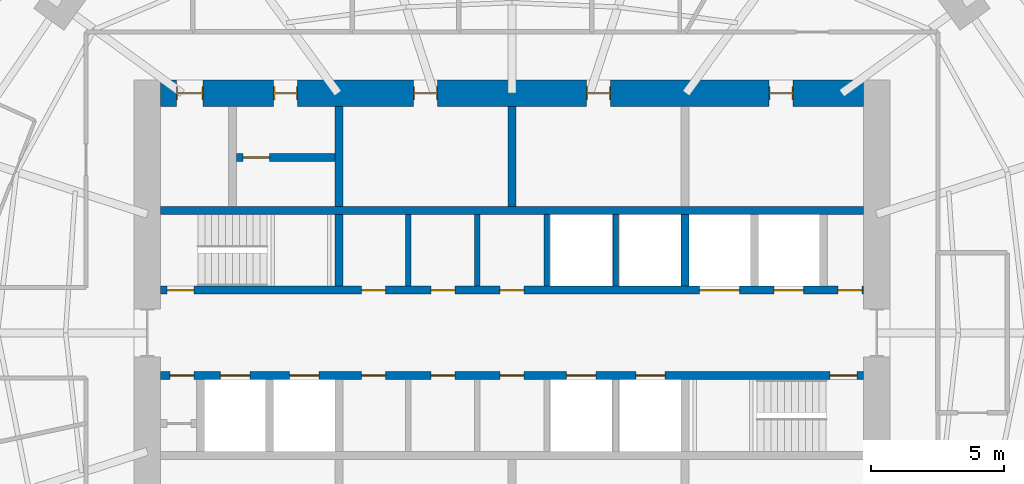
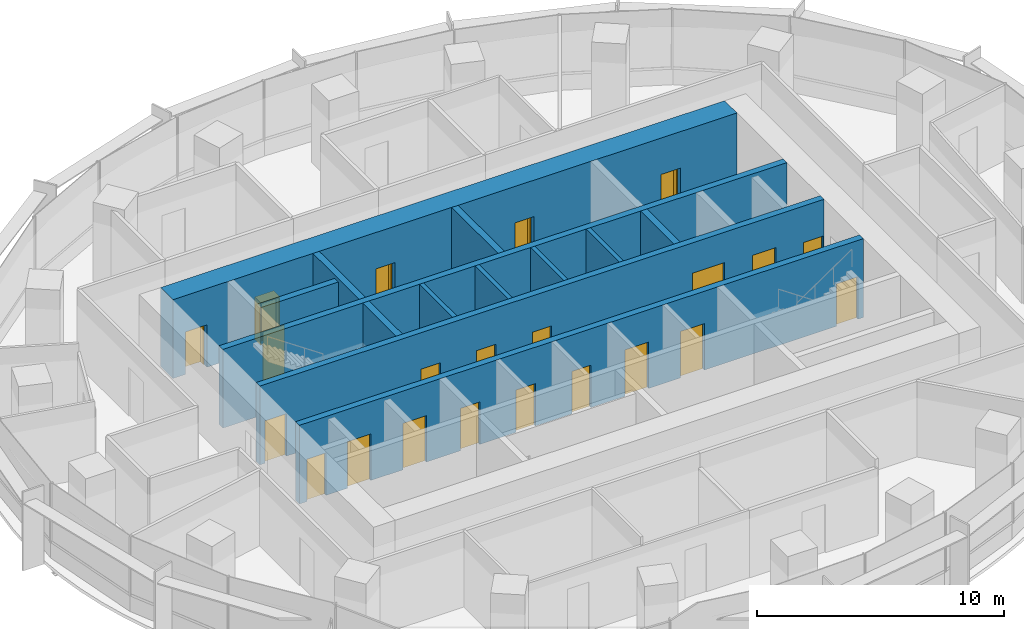
# One storey, part 11 of 14: 22 doors, 13 walls, 22 openings.
"""IFC4 building model written with IfcOpenShell, lengths in metres."""

from ifc_helpers import new_model, si_unit, direction, frame, frame_2d, origin, place, context, subcontext, project, spatial, rectangle, extrude, material, layer, layer_set, type_object, element, fill, save


model = new_model("IFC4")

# Units and contexts
model_context = context("Model", 3, precision=1e-05, world=origin(), true_north=direction((0.0, 1.0)))
body_context = subcontext(model_context, "Body", "Model", "MODEL_VIEW")
ifc_project = project(units=[si_unit("LENGTHUNIT", "METRE"), si_unit("AREAUNIT", "SQUARE_METRE"), si_unit("VOLUMEUNIT", "CUBIC_METRE"), si_unit("PLANEANGLEUNIT", "RADIAN"), si_unit("MASSUNIT", "GRAM", prefix="KILO")], contexts=[model_context])

# Site, building, storey
site_placement = place(None, origin())
site = spatial("IfcSite", under=ifc_project, at=site_placement, CompositionType="ELEMENT")
building_placement = place(site_placement, origin())
building = spatial("IfcBuilding", under=site, at=building_placement, Name="Marramba Exchange Tower", CompositionType="ELEMENT")
storey_placement = place(building_placement, frame((0.0, 0.0, 199.39990234375)))
storey = spatial("IfcBuildingStorey", under=building, at=storey_placement, Name="L48", CompositionType="ELEMENT", Elevation=199.39990234375)

# Walls
ifc_material_1 = material(Name="Concrete N50", Category="concrete")
ifc_layer_1 = layer(ifc_material_1, 0.199951171875)
ifc_layer_set_1 = layer_set([ifc_layer_1], Name="Core shaft wall 200")
wall_type_1 = type_object("IfcWallType", Name="Core shaft wall 200", PredefinedType="SHEAR", material=ifc_layer_set_1)
for number, where, z_axis, x_axis, name in (
    (1, (-3.89990234375, 1.75, 0.0), (0.0, 0.0, 1.0), (0.0, 1.0, 0.0), "Core wall SHN1 L48"),
    (2, (-1.300048828125, 1.75, 0.0), (0.0, 0.0, 1.0), (0.0, 1.0, 0.0), "Core wall SHN2 L48"),
    (3, (1.300048828125, 1.75, 0.0), (0.0, 0.0, 1.0), (0.0, 1.0, 0.0), "Core wall SHN3 L48"),
    (4, (3.89990234375, 1.75, 0.0), (0.0, 0.0, 1.0), (0.0, 1.0, 0.0), "Core wall SHN4 L48"),
):
    element("IfcWall", number, at=place(storey_placement, frame(where, z_axis=z_axis, x_axis=x_axis)), inside=storey, type_object=wall_type_1, Name=name, PredefinedType="SHEAR", context=body_context, shape_type="SweptSolid", body=[
        extrude(rectangle(XDim=2.699951171875, YDim=0.199951171875, at=frame_2d((1.35009765625, 0.0))), origin(), (0.0, 0.0, 1.0), 3.900146484375),
    ])

# Wall, openings, doors
ifc_layer_2 = layer(ifc_material_1, 1.0)
ifc_layer_set_2 = layer_set([ifc_layer_2], Name="Core wall 1000")
wall_type_2 = type_object("IfcWallType", Name="Core wall 1000", PredefinedType="SHEAR", material=ifc_layer_set_2)
wall_1_placement = place(storey_placement, frame((13.199951171875, 9.0, 0.0), z_axis=(0.0, 0.0, 1.0), x_axis=(-1.0, 0.0, 0.0)))
wall_1 = element("IfcWall", 5, at=wall_1_placement, inside=storey, type_object=wall_type_2, Name="Core wall N L48", PredefinedType="SHEAR", context=body_context, shape_type="SweptSolid", body=[
    extrude(rectangle(XDim=26.39990234375, YDim=1.0, at=frame_2d((13.199951171875, 0.0))), origin(), (0.0, 0.0, 1.0), 3.900146484375),
])
opening_1_placement = place(wall_1_placement, frame((2.64990234375, 0.0, 0.0)))
opening_1 = element("IfcOpeningElement", 6, at=opening_1_placement, cuts=wall_1, Name="Opening D5", PredefinedType="OPENING", context=body_context, shape_type="SweptSolid", body=[
    extrude(rectangle(XDim=0.89990234375, YDim=2.10009765625, at=frame_2d((0.449951171875, 1.050048828125))), frame((0.0, 0.510009765625, 0.0), z_axis=(0.0, -1.0, 0.0), x_axis=(1.0, 0.0, 0.0)), (0.0, 0.0, 1.0), 1.02001953125),
])
opening_2_placement = place(wall_1_placement, frame((9.5, 0.0, 0.0)))
opening_2 = element("IfcOpeningElement", 7, at=opening_2_placement, cuts=wall_1, Name="Opening D3", PredefinedType="OPENING", context=body_context, shape_type="SweptSolid", body=[
    extrude(rectangle(XDim=0.89990234375, YDim=2.10009765625, at=frame_2d((0.449951171875, 1.050048828125))), frame((0.0, 0.510009765625, 0.0), z_axis=(0.0, -1.0, 0.0), x_axis=(1.0, 0.0, 0.0)), (0.0, 0.0, 1.0), 1.02001953125),
])
opening_3_placement = place(wall_1_placement, frame((16.0, 0.0, 0.0)))
opening_3 = element("IfcOpeningElement", 8, at=opening_3_placement, cuts=wall_1, Name="Opening D3", PredefinedType="OPENING", context=body_context, shape_type="SweptSolid", body=[
    extrude(rectangle(XDim=0.89990234375, YDim=2.10009765625, at=frame_2d((0.449951171875, 1.050048828125))), frame((0.0, 0.510009765625, 0.0), z_axis=(0.0, -1.0, 0.0), x_axis=(1.0, 0.0, 0.0)), (0.0, 0.0, 1.0), 1.02001953125),
])
opening_4_placement = place(wall_1_placement, frame((21.25, 0.0, 0.0)))
opening_4 = element("IfcOpeningElement", 9, at=opening_4_placement, cuts=wall_1, Name="Opening D5", PredefinedType="OPENING", context=body_context, shape_type="SweptSolid", body=[
    extrude(rectangle(XDim=0.89990234375, YDim=2.10009765625, at=frame_2d((0.449951171875, 1.050048828125))), frame((0.0, 0.510009765625, 0.0), z_axis=(0.0, -1.0, 0.0), x_axis=(1.0, 0.0, 0.0)), (0.0, 0.0, 1.0), 1.02001953125),
])
opening_5_placement = place(wall_1_placement, frame((24.800048828125, 0.0, 0.0)))
opening_5 = element("IfcOpeningElement", 10, at=opening_5_placement, cuts=wall_1, Name="Opening D4", PredefinedType="OPENING", context=body_context, shape_type="SweptSolid", body=[
    extrude(rectangle(XDim=1.0, YDim=2.10009765625, at=frame_2d((0.5, 1.050048828125))), frame((0.0, 0.510009765625, 0.0), z_axis=(0.0, -1.0, 0.0), x_axis=(1.0, 0.0, 0.0)), (0.0, 0.0, 1.0), 1.02001953125),
])
ifc_material_2 = material(Name="Steel-framed door", Category="steel")
door_type_1 = type_object("IfcDoorType", Name="Accessible toilet door 1000x2100", OperationType="SINGLE_SWING_LEFT", PredefinedType="DOOR", material=ifc_material_2)
door_1_placement = place(opening_5_placement, origin())
door_1 = element("IfcDoor", 11, at=door_1_placement, inside=storey, type_object=door_type_1, Name="D4 awc L48", OperationType="SINGLE_SWING_RIGHT", OverallHeight=2.10009765625, OverallWidth=1.0, PredefinedType="DOOR", context=body_context, shape_type="SweptSolid", body=[
    extrude(rectangle(XDim=0.919921875, YDim=2.06005859375, at=frame_2d((0.5, 1.030029296875))), frame((0.0, 0.02490234375, 0.0), z_axis=(0.0, -1.0, 0.0), x_axis=(1.0, 0.0, 0.0)), (0.0, 0.0, 1.0), 0.050048828125),
    extrude(rectangle(XDim=0.04, YDim=2.10009765625, at=frame_2d((0.02001953125, 1.050048828125))), frame((0.0, 0.25, 0.0), z_axis=(0.0, -1.0, 0.0), x_axis=(1.0, 0.0, 0.0)), (0.0, 0.0, 1.0), 0.5),
    extrude(rectangle(XDim=0.04, YDim=2.10009765625, at=frame_2d((0.97998046875, 1.050048828125))), frame((0.0, 0.25, 0.0), z_axis=(0.0, -1.0, 0.0), x_axis=(1.0, 0.0, 0.0)), (0.0, 0.0, 1.0), 0.5),
    extrude(rectangle(XDim=0.919921875, YDim=0.04, at=frame_2d((0.5, 2.080078125))), frame((0.0, 0.25, 0.0), z_axis=(0.0, -1.0, 0.0), x_axis=(1.0, 0.0, 0.0)), (0.0, 0.0, 1.0), 0.5),
])
fill(opening_5, door_1)
door_type_2 = type_object("IfcDoorType", Name="Service door 900x2100", OperationType="SINGLE_SWING_LEFT", PredefinedType="DOOR", material=ifc_material_2)
door_2_placement = place(opening_1_placement, origin())
door_2 = element("IfcDoor", 12, at=door_2_placement, inside=storey, type_object=door_type_2, Name="D5 comms L48", OperationType="SINGLE_SWING_LEFT", OverallHeight=2.10009765625, OverallWidth=0.89990234375, PredefinedType="DOOR", context=body_context, shape_type="SweptSolid", body=[
    extrude(rectangle(XDim=0.81982421875, YDim=2.06005859375, at=frame_2d((0.449951171875, 1.030029296875))), frame((0.0, 0.02490234375, 0.0), z_axis=(0.0, -1.0, 0.0), x_axis=(1.0, 0.0, 0.0)), (0.0, 0.0, 1.0), 0.050048828125),
    extrude(rectangle(XDim=0.04, YDim=2.10009765625, at=frame_2d((0.02001953125, 1.050048828125))), frame((0.0, 0.25, 0.0), z_axis=(0.0, -1.0, 0.0), x_axis=(1.0, 0.0, 0.0)), (0.0, 0.0, 1.0), 0.5),
    extrude(rectangle(XDim=0.04, YDim=2.10009765625, at=frame_2d((0.8798828125, 1.050048828125))), frame((0.0, 0.25, 0.0), z_axis=(0.0, -1.0, 0.0), x_axis=(1.0, 0.0, 0.0)), (0.0, 0.0, 1.0), 0.5),
    extrude(rectangle(XDim=0.81982421875, YDim=0.04, at=frame_2d((0.449951171875, 2.080078125))), frame((0.0, 0.25, 0.0), z_axis=(0.0, -1.0, 0.0), x_axis=(1.0, 0.0, 0.0)), (0.0, 0.0, 1.0), 0.5),
])
fill(opening_1, door_2)
door_3_placement = place(opening_4_placement, origin())
door_3 = element("IfcDoor", 13, at=door_3_placement, inside=storey, type_object=door_type_2, Name="D5 cleaner L48", OperationType="SINGLE_SWING_RIGHT", OverallHeight=2.10009765625, OverallWidth=0.89990234375, PredefinedType="DOOR", context=body_context, shape_type="SweptSolid", body=[
    extrude(rectangle(XDim=0.81982421875, YDim=2.06005859375, at=frame_2d((0.449951171875, 1.030029296875))), frame((0.0, 0.02490234375, 0.0), z_axis=(0.0, -1.0, 0.0), x_axis=(1.0, 0.0, 0.0)), (0.0, 0.0, 1.0), 0.050048828125),
    extrude(rectangle(XDim=0.04, YDim=2.10009765625, at=frame_2d((0.02001953125, 1.050048828125))), frame((0.0, 0.25, 0.0), z_axis=(0.0, -1.0, 0.0), x_axis=(1.0, 0.0, 0.0)), (0.0, 0.0, 1.0), 0.5),
    extrude(rectangle(XDim=0.04, YDim=2.10009765625, at=frame_2d((0.8798828125, 1.050048828125))), frame((0.0, 0.25, 0.0), z_axis=(0.0, -1.0, 0.0), x_axis=(1.0, 0.0, 0.0)), (0.0, 0.0, 1.0), 0.5),
    extrude(rectangle(XDim=0.81982421875, YDim=0.04, at=frame_2d((0.449951171875, 2.080078125))), frame((0.0, 0.25, 0.0), z_axis=(0.0, -1.0, 0.0), x_axis=(1.0, 0.0, 0.0)), (0.0, 0.0, 1.0), 0.5),
])
fill(opening_4, door_3)
door_type_3 = type_object("IfcDoorType", Name="Toilet door 900x2100", OperationType="SINGLE_SWING_LEFT", PredefinedType="DOOR", material=ifc_material_2)
door_4_placement = place(opening_2_placement, origin())
door_4 = element("IfcDoor", 14, at=door_4_placement, inside=storey, type_object=door_type_3, Name="D3 wc-f L48", OperationType="SINGLE_SWING_RIGHT", OverallHeight=2.10009765625, OverallWidth=0.89990234375, PredefinedType="DOOR", context=body_context, shape_type="SweptSolid", body=[
    extrude(rectangle(XDim=0.81982421875, YDim=2.06005859375, at=frame_2d((0.449951171875, 1.030029296875))), frame((0.0, 0.02490234375, 0.0), z_axis=(0.0, -1.0, 0.0), x_axis=(1.0, 0.0, 0.0)), (0.0, 0.0, 1.0), 0.050048828125),
    extrude(rectangle(XDim=0.04, YDim=2.10009765625, at=frame_2d((0.02001953125, 1.050048828125))), frame((0.0, 0.25, 0.0), z_axis=(0.0, -1.0, 0.0), x_axis=(1.0, 0.0, 0.0)), (0.0, 0.0, 1.0), 0.5),
    extrude(rectangle(XDim=0.04, YDim=2.10009765625, at=frame_2d((0.8798828125, 1.050048828125))), frame((0.0, 0.25, 0.0), z_axis=(0.0, -1.0, 0.0), x_axis=(1.0, 0.0, 0.0)), (0.0, 0.0, 1.0), 0.5),
    extrude(rectangle(XDim=0.81982421875, YDim=0.04, at=frame_2d((0.449951171875, 2.080078125))), frame((0.0, 0.25, 0.0), z_axis=(0.0, -1.0, 0.0), x_axis=(1.0, 0.0, 0.0)), (0.0, 0.0, 1.0), 0.5),
])
fill(opening_2, door_4)
door_5_placement = place(opening_3_placement, origin())
door_5 = element("IfcDoor", 15, at=door_5_placement, inside=storey, type_object=door_type_3, Name="D3 wc-m L48", OperationType="SINGLE_SWING_RIGHT", OverallHeight=2.10009765625, OverallWidth=0.89990234375, PredefinedType="DOOR", context=body_context, shape_type="SweptSolid", body=[
    extrude(rectangle(XDim=0.81982421875, YDim=2.06005859375, at=frame_2d((0.449951171875, 1.030029296875))), frame((0.0, 0.02490234375, 0.0), z_axis=(0.0, -1.0, 0.0), x_axis=(1.0, 0.0, 0.0)), (0.0, 0.0, 1.0), 0.050048828125),
    extrude(rectangle(XDim=0.04, YDim=2.10009765625, at=frame_2d((0.02001953125, 1.050048828125))), frame((0.0, 0.25, 0.0), z_axis=(0.0, -1.0, 0.0), x_axis=(1.0, 0.0, 0.0)), (0.0, 0.0, 1.0), 0.5),
    extrude(rectangle(XDim=0.04, YDim=2.10009765625, at=frame_2d((0.8798828125, 1.050048828125))), frame((0.0, 0.25, 0.0), z_axis=(0.0, -1.0, 0.0), x_axis=(1.0, 0.0, 0.0)), (0.0, 0.0, 1.0), 0.5),
    extrude(rectangle(XDim=0.81982421875, YDim=0.04, at=frame_2d((0.449951171875, 2.080078125))), frame((0.0, 0.25, 0.0), z_axis=(0.0, -1.0, 0.0), x_axis=(1.0, 0.0, 0.0)), (0.0, 0.0, 1.0), 0.5),
])
fill(opening_3, door_5)

ifc_layer_3 = layer(ifc_material_1, 0.300048828125)
ifc_layer_set_3 = layer_set([ifc_layer_3], Name="Core wall 300")
wall_type_3 = type_object("IfcWallType", Name="Core wall 300", PredefinedType="SHEAR", material=ifc_layer_set_3)
wall_2_placement = place(storey_placement, frame((-13.199951171875, 1.60009765625, 0.0), z_axis=(0.0, 0.0, 1.0), x_axis=(1.0, 0.0, 0.0)))
wall_2 = element("IfcWall", 16, at=wall_2_placement, inside=storey, type_object=wall_type_3, Name="Core wall LN L48", PredefinedType="SHEAR", context=body_context, shape_type="SweptSolid", body=[
    extrude(rectangle(XDim=26.39990234375, YDim=0.300048828125, at=frame_2d((13.199951171875, 0.0))), origin(), (0.0, 0.0, 1.0), 3.900146484375),
])
opening_6_placement = place(wall_2_placement, frame((0.25, 0.0, 0.0)))
opening_6 = element("IfcOpeningElement", 17, at=opening_6_placement, cuts=wall_2, Name="Opening D2", PredefinedType="OPENING", context=body_context, shape_type="SweptSolid", body=[
    extrude(rectangle(XDim=1.0, YDim=2.10009765625, at=frame_2d((0.5, 1.050048828125))), frame((0.0, 0.159912109375, 0.0), z_axis=(0.0, -1.0, 0.0), x_axis=(1.0, 0.0, 0.0)), (0.0, 0.0, 1.0), 0.320068359375),
])
opening_7_placement = place(wall_2_placement, frame((23.050048828125, 0.0, 0.0)))
opening_7 = element("IfcOpeningElement", 18, at=opening_7_placement, cuts=wall_2, Name="Opening LD1", PredefinedType="OPENING", context=body_context, shape_type="SweptSolid", body=[
    extrude(rectangle(XDim=1.10009765625, YDim=2.300048828125, at=frame_2d((0.550048828125, 1.14990234375))), frame((0.0, 0.159912109375, 0.0), z_axis=(0.0, -1.0, 0.0), x_axis=(1.0, 0.0, 0.0)), (0.0, 0.0, 1.0), 0.320068359375),
])
opening_8_placement = place(wall_2_placement, frame((20.25, 0.0, 0.0)))
opening_8 = element("IfcOpeningElement", 19, at=opening_8_placement, cuts=wall_2, Name="Opening LD3", PredefinedType="OPENING", context=body_context, shape_type="SweptSolid", body=[
    extrude(rectangle(XDim=1.5, YDim=2.39990234375, at=frame_2d((0.75, 1.199951171875))), frame((0.0, 0.159912109375, 0.0), z_axis=(0.0, -1.0, 0.0), x_axis=(1.0, 0.0, 0.0)), (0.0, 0.0, 1.0), 0.320068359375),
])
opening_9_placement = place(wall_2_placement, frame((7.550048828125, 0.0, 0.0)))
opening_9 = element("IfcOpeningElement", 20, at=opening_9_placement, cuts=wall_2, Name="Opening D5", PredefinedType="OPENING", context=body_context, shape_type="SweptSolid", body=[
    extrude(rectangle(XDim=0.89990234375, YDim=2.10009765625, at=frame_2d((0.449951171875, 1.050048828125))), frame((0.0, 0.159912109375, 0.0), z_axis=(0.0, -1.0, 0.0), x_axis=(1.0, 0.0, 0.0)), (0.0, 0.0, 1.0), 0.320068359375),
])
opening_10_placement = place(wall_2_placement, frame((10.14990234375, 0.0, 0.0)))
opening_10 = element("IfcOpeningElement", 21, at=opening_10_placement, cuts=wall_2, Name="Opening D5", PredefinedType="OPENING", context=body_context, shape_type="SweptSolid", body=[
    extrude(rectangle(XDim=0.89990234375, YDim=2.10009765625, at=frame_2d((0.449951171875, 1.050048828125))), frame((0.0, 0.159912109375, 0.0), z_axis=(0.0, -1.0, 0.0), x_axis=(1.0, 0.0, 0.0)), (0.0, 0.0, 1.0), 0.320068359375),
])
opening_11_placement = place(wall_2_placement, frame((12.75, 0.0, 0.0)))
opening_11 = element("IfcOpeningElement", 22, at=opening_11_placement, cuts=wall_2, Name="Opening D5", PredefinedType="OPENING", context=body_context, shape_type="SweptSolid", body=[
    extrude(rectangle(XDim=0.89990234375, YDim=2.10009765625, at=frame_2d((0.449951171875, 1.050048828125))), frame((0.0, 0.159912109375, 0.0), z_axis=(0.0, -1.0, 0.0), x_axis=(1.0, 0.0, 0.0)), (0.0, 0.0, 1.0), 0.320068359375),
])
opening_12_placement = place(wall_2_placement, frame((25.449951171875, 0.0, 0.0)))
opening_12 = element("IfcOpeningElement", 23, at=opening_12_placement, cuts=wall_2, Name="Opening D5", PredefinedType="OPENING", context=body_context, shape_type="SweptSolid", body=[
    extrude(rectangle(XDim=0.89990234375, YDim=2.10009765625, at=frame_2d((0.449951171875, 1.050048828125))), frame((0.0, 0.159912109375, 0.0), z_axis=(0.0, -1.0, 0.0), x_axis=(1.0, 0.0, 0.0)), (0.0, 0.0, 1.0), 0.320068359375),
])
door_type_4 = type_object("IfcDoorType", Name="Goods lift landing door 1500x2400", OperationType="SLIDING_TO_LEFT", PredefinedType="DOOR", material=ifc_material_2)
door_6_placement = place(opening_8_placement, origin())
door_6 = element("IfcDoor", 24, at=door_6_placement, inside=storey, type_object=door_type_4, Name="GL1 landing door L48", OperationType="SLIDING_TO_LEFT", OverallHeight=2.39990234375, OverallWidth=1.5, PredefinedType="DOOR", context=body_context, shape_type="SweptSolid", body=[
    extrude(rectangle(XDim=1.5, YDim=2.39990234375, at=frame_2d((0.75, 1.199951171875))), frame((0.0, 0.02490234375, 0.0), z_axis=(0.0, -1.0, 0.0), x_axis=(1.0, 0.0, 0.0)), (0.0, 0.0, 1.0), 0.050048828125),
])
fill(opening_8, door_6)
door_type_5 = type_object("IfcDoorType", Name="Lift landing door 1100x2300", OperationType="SLIDING_TO_LEFT", PredefinedType="DOOR", material=ifc_material_2)
door_7_placement = place(opening_7_placement, origin())
door_7 = element("IfcDoor", 25, at=door_7_placement, inside=storey, type_object=door_type_5, Name="LC3 landing door L48", OperationType="SLIDING_TO_LEFT", OverallHeight=2.300048828125, OverallWidth=1.10009765625, PredefinedType="DOOR", context=body_context, shape_type="SweptSolid", body=[
    extrude(rectangle(XDim=1.10009765625, YDim=2.300048828125, at=frame_2d((0.550048828125, 1.14990234375))), frame((0.0, 0.02490234375, 0.0), z_axis=(0.0, -1.0, 0.0), x_axis=(1.0, 0.0, 0.0)), (0.0, 0.0, 1.0), 0.050048828125),
])
fill(opening_7, door_7)
door_8_placement = place(opening_9_placement, origin())
door_8 = element("IfcDoor", 26, at=door_8_placement, inside=storey, type_object=door_type_2, Name="D5 stationery store L48", OperationType="SINGLE_SWING_RIGHT", OverallHeight=2.10009765625, OverallWidth=0.89990234375, PredefinedType="DOOR", context=body_context, shape_type="SweptSolid", body=[
    extrude(rectangle(XDim=0.89990234375, YDim=2.10009765625, at=frame_2d((0.449951171875, 1.050048828125))), frame((0.0, 0.02490234375, 0.0), z_axis=(0.0, -1.0, 0.0), x_axis=(1.0, 0.0, 0.0)), (0.0, 0.0, 1.0), 0.050048828125),
])
fill(opening_9, door_8)
door_9_placement = place(opening_10_placement, origin())
door_9 = element("IfcDoor", 27, at=door_9_placement, inside=storey, type_object=door_type_2, Name="D5 switch room L48", OperationType="SINGLE_SWING_RIGHT", OverallHeight=2.10009765625, OverallWidth=0.89990234375, PredefinedType="DOOR", context=body_context, shape_type="SweptSolid", body=[
    extrude(rectangle(XDim=0.89990234375, YDim=2.10009765625, at=frame_2d((0.449951171875, 1.050048828125))), frame((0.0, 0.02490234375, 0.0), z_axis=(0.0, -1.0, 0.0), x_axis=(1.0, 0.0, 0.0)), (0.0, 0.0, 1.0), 0.050048828125),
])
fill(opening_10, door_9)
door_10_placement = place(opening_11_placement, origin())
door_10 = element("IfcDoor", 28, at=door_10_placement, inside=storey, type_object=door_type_2, Name="D5 cleaner store L48", OperationType="SINGLE_SWING_RIGHT", OverallHeight=2.10009765625, OverallWidth=0.89990234375, PredefinedType="DOOR", context=body_context, shape_type="SweptSolid", body=[
    extrude(rectangle(XDim=0.89990234375, YDim=2.10009765625, at=frame_2d((0.449951171875, 1.050048828125))), frame((0.0, 0.02490234375, 0.0), z_axis=(0.0, -1.0, 0.0), x_axis=(1.0, 0.0, 0.0)), (0.0, 0.0, 1.0), 0.050048828125),
])
fill(opening_11, door_10)
door_11_placement = place(opening_12_placement, origin())
door_11 = element("IfcDoor", 29, at=door_11_placement, inside=storey, type_object=door_type_2, Name="D5 riser L48", OperationType="SINGLE_SWING_RIGHT", OverallHeight=2.10009765625, OverallWidth=0.89990234375, PredefinedType="DOOR", context=body_context, shape_type="SweptSolid", body=[
    extrude(rectangle(XDim=0.89990234375, YDim=2.10009765625, at=frame_2d((0.449951171875, 1.050048828125))), frame((0.0, 0.02490234375, 0.0), z_axis=(0.0, -1.0, 0.0), x_axis=(1.0, 0.0, 0.0)), (0.0, 0.0, 1.0), 0.050048828125),
])
fill(opening_12, door_11)
door_type_6 = type_object("IfcDoorType", Name="Stair door 1000x2100", OperationType="SINGLE_SWING_LEFT", PredefinedType="DOOR", material=ifc_material_2)
door_12_placement = place(opening_6_placement, origin())
door_12 = element("IfcDoor", 30, at=door_12_placement, inside=storey, type_object=door_type_6, Name="D2 stair ST1 L48", OperationType="SINGLE_SWING_LEFT", OverallHeight=2.10009765625, OverallWidth=1.0, PredefinedType="DOOR", context=body_context, shape_type="SweptSolid", body=[
    extrude(rectangle(XDim=1.0, YDim=2.10009765625, at=frame_2d((0.5, 1.050048828125))), frame((0.0, 0.02490234375, 0.0), z_axis=(0.0, -1.0, 0.0), x_axis=(1.0, 0.0, 0.0)), (0.0, 0.0, 1.0), 0.050048828125),
])
fill(opening_6, door_12)

wall_3_placement = place(storey_placement, frame((-13.199951171875, -1.60009765625, 0.0), z_axis=(0.0, 0.0, 1.0), x_axis=(1.0, 0.0, 0.0)))
wall_3 = element("IfcWall", 31, at=wall_3_placement, inside=storey, type_object=wall_type_3, Name="Core wall LS L48", PredefinedType="SHEAR", context=body_context, shape_type="SweptSolid", body=[
    extrude(rectangle(XDim=26.39990234375, YDim=0.300048828125, at=frame_2d((13.199951171875, 0.0))), origin(), (0.0, 0.0, 1.0), 3.900146484375),
])
opening_13_placement = place(wall_3_placement, frame((25.14990234375, 0.0, 0.0)))
opening_13 = element("IfcOpeningElement", 32, at=opening_13_placement, cuts=wall_3, Name="Opening D2", PredefinedType="OPENING", context=body_context, shape_type="SweptSolid", body=[
    extrude(rectangle(XDim=1.0, YDim=2.10009765625, at=frame_2d((0.5, 1.050048828125))), frame((0.0, 0.159912109375, 0.0), z_axis=(0.0, -1.0, 0.0), x_axis=(1.0, 0.0, 0.0)), (0.0, 0.0, 1.0), 0.320068359375),
])
opening_14_placement = place(wall_3_placement, frame((7.550048828125, 0.0, 0.0)))
opening_14 = element("IfcOpeningElement", 33, at=opening_14_placement, cuts=wall_3, Name="Opening D5", PredefinedType="OPENING", context=body_context, shape_type="SweptSolid", body=[
    extrude(rectangle(XDim=0.89990234375, YDim=2.10009765625, at=frame_2d((0.449951171875, 1.050048828125))), frame((0.0, 0.159912109375, 0.0), z_axis=(0.0, -1.0, 0.0), x_axis=(1.0, 0.0, 0.0)), (0.0, 0.0, 1.0), 0.320068359375),
])
opening_15_placement = place(wall_3_placement, frame((10.14990234375, 0.0, 0.0)))
opening_15 = element("IfcOpeningElement", 34, at=opening_15_placement, cuts=wall_3, Name="Opening D3", PredefinedType="OPENING", context=body_context, shape_type="SweptSolid", body=[
    extrude(rectangle(XDim=0.89990234375, YDim=2.10009765625, at=frame_2d((0.449951171875, 1.050048828125))), frame((0.0, 0.159912109375, 0.0), z_axis=(0.0, -1.0, 0.0), x_axis=(1.0, 0.0, 0.0)), (0.0, 0.0, 1.0), 0.320068359375),
])
opening_16_placement = place(wall_3_placement, frame((12.75, 0.0, 0.0)))
opening_16 = element("IfcOpeningElement", 35, at=opening_16_placement, cuts=wall_3, Name="Opening D5", PredefinedType="OPENING", context=body_context, shape_type="SweptSolid", body=[
    extrude(rectangle(XDim=0.89990234375, YDim=2.10009765625, at=frame_2d((0.449951171875, 1.050048828125))), frame((0.0, 0.159912109375, 0.0), z_axis=(0.0, -1.0, 0.0), x_axis=(1.0, 0.0, 0.0)), (0.0, 0.0, 1.0), 0.320068359375),
])
opening_17_placement = place(wall_3_placement, frame((15.25, 0.0, 0.0)))
opening_17 = element("IfcOpeningElement", 36, at=opening_17_placement, cuts=wall_3, Name="Opening LD2", PredefinedType="OPENING", context=body_context, shape_type="SweptSolid", body=[
    extrude(rectangle(XDim=1.10009765625, YDim=2.300048828125, at=frame_2d((0.550048828125, 1.14990234375))), frame((0.0, 0.159912109375, 0.0), z_axis=(0.0, -1.0, 0.0), x_axis=(1.0, 0.0, 0.0)), (0.0, 0.0, 1.0), 0.320068359375),
])
opening_18_placement = place(wall_3_placement, frame((17.85009765625, 0.0, 0.0)))
opening_18 = element("IfcOpeningElement", 37, at=opening_18_placement, cuts=wall_3, Name="Opening LD2", PredefinedType="OPENING", context=body_context, shape_type="SweptSolid", body=[
    extrude(rectangle(XDim=1.10009765625, YDim=2.300048828125, at=frame_2d((0.550048828125, 1.14990234375))), frame((0.0, 0.159912109375, 0.0), z_axis=(0.0, -1.0, 0.0), x_axis=(1.0, 0.0, 0.0)), (0.0, 0.0, 1.0), 0.320068359375),
])
opening_19_placement = place(wall_3_placement, frame((4.85009765625, 0.0, 0.0)))
opening_19 = element("IfcOpeningElement", 38, at=opening_19_placement, cuts=wall_3, Name="Opening LD1", PredefinedType="OPENING", context=body_context, shape_type="SweptSolid", body=[
    extrude(rectangle(XDim=1.10009765625, YDim=2.300048828125, at=frame_2d((0.550048828125, 1.14990234375))), frame((0.0, 0.159912109375, 0.0), z_axis=(0.0, -1.0, 0.0), x_axis=(1.0, 0.0, 0.0)), (0.0, 0.0, 1.0), 0.320068359375),
])
opening_20_placement = place(wall_3_placement, frame((2.25, 0.0, 0.0)))
opening_20 = element("IfcOpeningElement", 39, at=opening_20_placement, cuts=wall_3, Name="Opening LD1", PredefinedType="OPENING", context=body_context, shape_type="SweptSolid", body=[
    extrude(rectangle(XDim=1.10009765625, YDim=2.300048828125, at=frame_2d((0.550048828125, 1.14990234375))), frame((0.0, 0.159912109375, 0.0), z_axis=(0.0, -1.0, 0.0), x_axis=(1.0, 0.0, 0.0)), (0.0, 0.0, 1.0), 0.320068359375),
])
opening_21_placement = place(wall_3_placement, frame((0.35009765625, 0.0, 0.0)))
opening_21 = element("IfcOpeningElement", 40, at=opening_21_placement, cuts=wall_3, Name="Opening D5", PredefinedType="OPENING", context=body_context, shape_type="SweptSolid", body=[
    extrude(rectangle(XDim=0.89990234375, YDim=2.10009765625, at=frame_2d((0.449951171875, 1.050048828125))), frame((0.0, 0.159912109375, 0.0), z_axis=(0.0, -1.0, 0.0), x_axis=(1.0, 0.0, 0.0)), (0.0, 0.0, 1.0), 0.320068359375),
])
door_type_7 = type_object("IfcDoorType", Name="Emergency lift landing door 1100x2300", OperationType="SLIDING_TO_LEFT", PredefinedType="DOOR", material=ifc_material_2)
door_13_placement = place(opening_17_placement, frame((1.10009765625, 0.0, 0.0), z_axis=(0.0, 0.0, 1.0), x_axis=(-1.0, 0.0, 0.0)))
door_13 = element("IfcDoor", 41, at=door_13_placement, inside=storey, type_object=door_type_7, Name="FL1 landing door L48", OperationType="SLIDING_TO_RIGHT", OverallHeight=2.300048828125, OverallWidth=1.10009765625, PredefinedType="DOOR", context=body_context, shape_type="SweptSolid", body=[
    extrude(rectangle(XDim=1.10009765625, YDim=2.300048828125, at=frame_2d((0.550048828125, 1.14990234375))), frame((0.0, 0.025146484375, 0.0), z_axis=(0.0, -1.0, 0.0), x_axis=(1.0, 0.0, 0.0)), (0.0, 0.0, 1.0), 0.050048828125),
])
fill(opening_17, door_13)
door_14_placement = place(opening_18_placement, frame((1.10009765625, 0.0, 0.0), z_axis=(0.0, 0.0, 1.0), x_axis=(-1.0, 0.0, 0.0)))
door_14 = element("IfcDoor", 42, at=door_14_placement, inside=storey, type_object=door_type_7, Name="FL2 landing door L48", OperationType="SLIDING_TO_LEFT", OverallHeight=2.300048828125, OverallWidth=1.10009765625, PredefinedType="DOOR", context=body_context, shape_type="SweptSolid", body=[
    extrude(rectangle(XDim=1.10009765625, YDim=2.300048828125, at=frame_2d((0.550048828125, 1.14990234375))), frame((0.0, 0.025146484375, 0.0), z_axis=(0.0, -1.0, 0.0), x_axis=(1.0, 0.0, 0.0)), (0.0, 0.0, 1.0), 0.050048828125),
])
fill(opening_18, door_14)
door_15_placement = place(opening_19_placement, frame((1.10009765625, 0.0, 0.0), z_axis=(0.0, 0.0, 1.0), x_axis=(-1.0, 0.0, 0.0)))
door_15 = element("IfcDoor", 43, at=door_15_placement, inside=storey, type_object=door_type_5, Name="LC1 landing door L48", OperationType="SLIDING_TO_LEFT", OverallHeight=2.300048828125, OverallWidth=1.10009765625, PredefinedType="DOOR", context=body_context, shape_type="SweptSolid", body=[
    extrude(rectangle(XDim=1.10009765625, YDim=2.300048828125, at=frame_2d((0.550048828125, 1.14990234375))), frame((0.0, 0.025146484375, 0.0), z_axis=(0.0, -1.0, 0.0), x_axis=(1.0, 0.0, 0.0)), (0.0, 0.0, 1.0), 0.050048828125),
])
fill(opening_19, door_15)
door_16_placement = place(opening_20_placement, frame((1.10009765625, 0.0, 0.0), z_axis=(0.0, 0.0, 1.0), x_axis=(-1.0, 0.0, 0.0)))
door_16 = element("IfcDoor", 44, at=door_16_placement, inside=storey, type_object=door_type_5, Name="LC2 landing door L48", OperationType="SLIDING_TO_LEFT", OverallHeight=2.300048828125, OverallWidth=1.10009765625, PredefinedType="DOOR", context=body_context, shape_type="SweptSolid", body=[
    extrude(rectangle(XDim=1.10009765625, YDim=2.300048828125, at=frame_2d((0.550048828125, 1.14990234375))), frame((0.0, 0.025146484375, 0.0), z_axis=(0.0, -1.0, 0.0), x_axis=(1.0, 0.0, 0.0)), (0.0, 0.0, 1.0), 0.050048828125),
])
fill(opening_20, door_16)
door_17_placement = place(opening_14_placement, frame((0.89990234375, 0.0, 0.0), z_axis=(0.0, 0.0, 1.0), x_axis=(-1.0, 0.0, 0.0)))
door_17 = element("IfcDoor", 45, at=door_17_placement, inside=storey, type_object=door_type_2, Name="D5 general store L48", OperationType="SINGLE_SWING_RIGHT", OverallHeight=2.10009765625, OverallWidth=0.89990234375, PredefinedType="DOOR", context=body_context, shape_type="SweptSolid", body=[
    extrude(rectangle(XDim=0.89990234375, YDim=2.10009765625, at=frame_2d((0.449951171875, 1.050048828125))), frame((0.0, 0.025146484375, 0.0), z_axis=(0.0, -1.0, 0.0), x_axis=(1.0, 0.0, 0.0)), (0.0, 0.0, 1.0), 0.050048828125),
])
fill(opening_14, door_17)
door_18_placement = place(opening_16_placement, frame((0.89990234375, 0.0, 0.0), z_axis=(0.0, 0.0, 1.0), x_axis=(-1.0, 0.0, 0.0)))
door_18 = element("IfcDoor", 46, at=door_18_placement, inside=storey, type_object=door_type_2, Name="D5 archive store n2 L48", OperationType="SINGLE_SWING_RIGHT", OverallHeight=2.10009765625, OverallWidth=0.89990234375, PredefinedType="DOOR", context=body_context, shape_type="SweptSolid", body=[
    extrude(rectangle(XDim=0.89990234375, YDim=2.10009765625, at=frame_2d((0.449951171875, 1.050048828125))), frame((0.0, 0.025146484375, 0.0), z_axis=(0.0, -1.0, 0.0), x_axis=(1.0, 0.0, 0.0)), (0.0, 0.0, 1.0), 0.050048828125),
])
fill(opening_16, door_18)
door_19_placement = place(opening_21_placement, frame((0.89990234375, 0.0, 0.0), z_axis=(0.0, 0.0, 1.0), x_axis=(-1.0, 0.0, 0.0)))
door_19 = element("IfcDoor", 47, at=door_19_placement, inside=storey, type_object=door_type_2, Name="D5 electrical riser L48", OperationType="SINGLE_SWING_LEFT", OverallHeight=2.10009765625, OverallWidth=0.89990234375, PredefinedType="DOOR", context=body_context, shape_type="SweptSolid", body=[
    extrude(rectangle(XDim=0.89990234375, YDim=2.10009765625, at=frame_2d((0.449951171875, 1.050048828125))), frame((0.0, 0.025146484375, 0.0), z_axis=(0.0, -1.0, 0.0), x_axis=(1.0, 0.0, 0.0)), (0.0, 0.0, 1.0), 0.050048828125),
])
fill(opening_21, door_19)
door_20_placement = place(opening_13_placement, frame((1.0, 0.0, 0.0), z_axis=(0.0, 0.0, 1.0), x_axis=(-1.0, 0.0, 0.0)))
door_20 = element("IfcDoor", 48, at=door_20_placement, inside=storey, type_object=door_type_6, Name="D2 stair ST2 L48", OperationType="SINGLE_SWING_LEFT", OverallHeight=2.10009765625, OverallWidth=1.0, PredefinedType="DOOR", context=body_context, shape_type="SweptSolid", body=[
    extrude(rectangle(XDim=1.0, YDim=2.10009765625, at=frame_2d((0.5, 1.050048828125))), frame((0.0, 0.025146484375, 0.0), z_axis=(0.0, -1.0, 0.0), x_axis=(1.0, 0.0, 0.0)), (0.0, 0.0, 1.0), 0.050048828125),
])
fill(opening_13, door_20)
door_21_placement = place(opening_15_placement, frame((0.89990234375, 0.0, 0.0), z_axis=(0.0, 0.0, 1.0), x_axis=(-1.0, 0.0, 0.0)))
door_21 = element("IfcDoor", 49, at=door_21_placement, inside=storey, type_object=door_type_3, Name="D3 staff wc n1 L48", OperationType="SINGLE_SWING_RIGHT", OverallHeight=2.10009765625, OverallWidth=0.89990234375, PredefinedType="DOOR", context=body_context, shape_type="SweptSolid", body=[
    extrude(rectangle(XDim=0.89990234375, YDim=2.10009765625, at=frame_2d((0.449951171875, 1.050048828125))), frame((0.0, 0.025146484375, 0.0), z_axis=(0.0, -1.0, 0.0), x_axis=(1.0, 0.0, 0.0)), (0.0, 0.0, 1.0), 0.050048828125),
])
fill(opening_15, door_21)

# Walls
wall_4_placement = place(storey_placement, frame((-13.199951171875, 4.60009765625, 0.0), z_axis=(0.0, 0.0, 1.0), x_axis=(1.0, 0.0, 0.0)))
element("IfcWall", 50, at=wall_4_placement, inside=storey, type_object=wall_type_3, Name="Core wall BN L48", PredefinedType="SHEAR", context=body_context, shape_type="SweptSolid", body=[
    extrude(rectangle(XDim=26.39990234375, YDim=0.300048828125, at=frame_2d((13.199951171875, 0.0))), origin(), (0.0, 0.0, 1.0), 3.900146484375),
])
wall_5_placement = place(storey_placement, frame((-6.5, 1.75, 0.0), z_axis=(0.0, 0.0, 1.0), x_axis=(0.0, 1.0, 0.0)))
element("IfcWall", 51, at=wall_5_placement, inside=storey, type_object=wall_type_3, Name="Core wall X0Na L48", PredefinedType="SHEAR", context=body_context, shape_type="SweptSolid", body=[
    extrude(rectangle(XDim=2.699951171875, YDim=0.300048828125, at=frame_2d((1.35009765625, 0.0))), origin(), (0.0, 0.0, 1.0), 3.900146484375),
])
wall_6_placement = place(storey_placement, frame((-6.5, 4.75, 0.0), z_axis=(0.0, 0.0, 1.0), x_axis=(0.0, 1.0, 0.0)))
element("IfcWall", 52, at=wall_6_placement, inside=storey, type_object=wall_type_3, Name="Core wall X0Nb L48", PredefinedType="SHEAR", context=body_context, shape_type="SweptSolid", body=[
    extrude(rectangle(XDim=3.75, YDim=0.300048828125, at=frame_2d((1.875, 0.0))), origin(), (0.0, 0.0, 1.0), 3.900146484375),
])
wall_7_placement = place(storey_placement, frame((6.5, 1.75, 0.0), z_axis=(0.0, 0.0, 1.0), x_axis=(0.0, 1.0, 0.0)))
element("IfcWall", 53, at=wall_7_placement, inside=storey, type_object=wall_type_3, Name="Core wall X1Na L48", PredefinedType="SHEAR", context=body_context, shape_type="SweptSolid", body=[
    extrude(rectangle(XDim=2.699951171875, YDim=0.300048828125, at=frame_2d((1.35009765625, 0.0))), origin(), (0.0, 0.0, 1.0), 3.900146484375),
])
wall_8_placement = place(storey_placement, frame((0.0, 4.75, 0.0), z_axis=(0.0, 0.0, 1.0), x_axis=(0.0, 1.0, 0.0)))
element("IfcWall", 54, at=wall_8_placement, inside=storey, type_object=wall_type_3, Name="Core wall MN L48", PredefinedType="SHEAR", context=body_context, shape_type="SweptSolid", body=[
    extrude(rectangle(XDim=3.75, YDim=0.300048828125, at=frame_2d((1.875, 0.0))), origin(), (0.0, 0.0, 1.0), 3.900146484375),
])

# Wall, opening, door
ifc_material_3 = material(Name="Plasterboard on steel studs, insulated, unrated", Category="steel")
ifc_layer_4 = layer(ifc_material_3, 0.300048828125)
ifc_layer_set_4 = layer_set([ifc_layer_4], Name="Store partition 300")
wall_type_4 = type_object("IfcWallType", Name="Store partition 300", PredefinedType="PARTITIONING", material=ifc_layer_set_4)
wall_9_placement = place(storey_placement, frame((-10.35009765625, 6.580078125, 0.0), z_axis=(0.0, 0.0, 1.0), x_axis=(1.0, 0.0, 0.0)))
wall_9 = element("IfcWall", 55, at=wall_9_placement, inside=storey, type_object=wall_type_4, Name="Store partition L48 cleaner", PredefinedType="PARTITIONING", context=body_context, shape_type="SweptSolid", body=[
    extrude(rectangle(XDim=3.7001953125, YDim=0.300048828125, at=frame_2d((1.85009765625, 0.0))), origin(), (0.0, 0.0, 1.0), 3.739990234375),
])
opening_22_placement = place(wall_9_placement, frame((0.25, 0.0, 0.0)))
opening_22 = element("IfcOpeningElement", 56, at=opening_22_placement, cuts=wall_9, Name="Opening D9", PredefinedType="OPENING", context=body_context, shape_type="SweptSolid", body=[
    extrude(rectangle(XDim=1.0, YDim=2.39990234375, at=frame_2d((0.5, 1.199951171875))), frame((0.0, 0.159912109375, 0.0), z_axis=(0.0, -1.0, 0.0), x_axis=(1.0, 0.0, 0.0)), (0.0, 0.0, 1.0), 0.320068359375),
])
ifc_material_4 = material(Name="Timber door", Category="wood")
door_type_8 = type_object("IfcDoorType", Name="Room door 1000x2400", OperationType="SINGLE_SWING_LEFT", PredefinedType="DOOR", material=ifc_material_4)
door_22_placement = place(opening_22_placement, frame((1.0, 0.0, 0.0), z_axis=(0.0, 0.0, 1.0), x_axis=(-1.0, 0.0, 0.0)))
door_22 = element("IfcDoor", 57, at=door_22_placement, inside=storey, type_object=door_type_8, Name="D9 cleaning store L48", OperationType="SINGLE_SWING_RIGHT", OverallHeight=2.39990234375, OverallWidth=1.0, PredefinedType="DOOR", context=body_context, shape_type="SweptSolid", body=[
    extrude(rectangle(XDim=1.0, YDim=2.39990234375, at=frame_2d((0.5, 1.199951171875))), frame((0.0, 0.025146484375, 0.0), z_axis=(0.0, -1.0, 0.0), x_axis=(1.0, 0.0, 0.0)), (0.0, 0.0, 1.0), 0.050048828125),
])
fill(opening_22, door_22)

save(model, "model.ifc")
